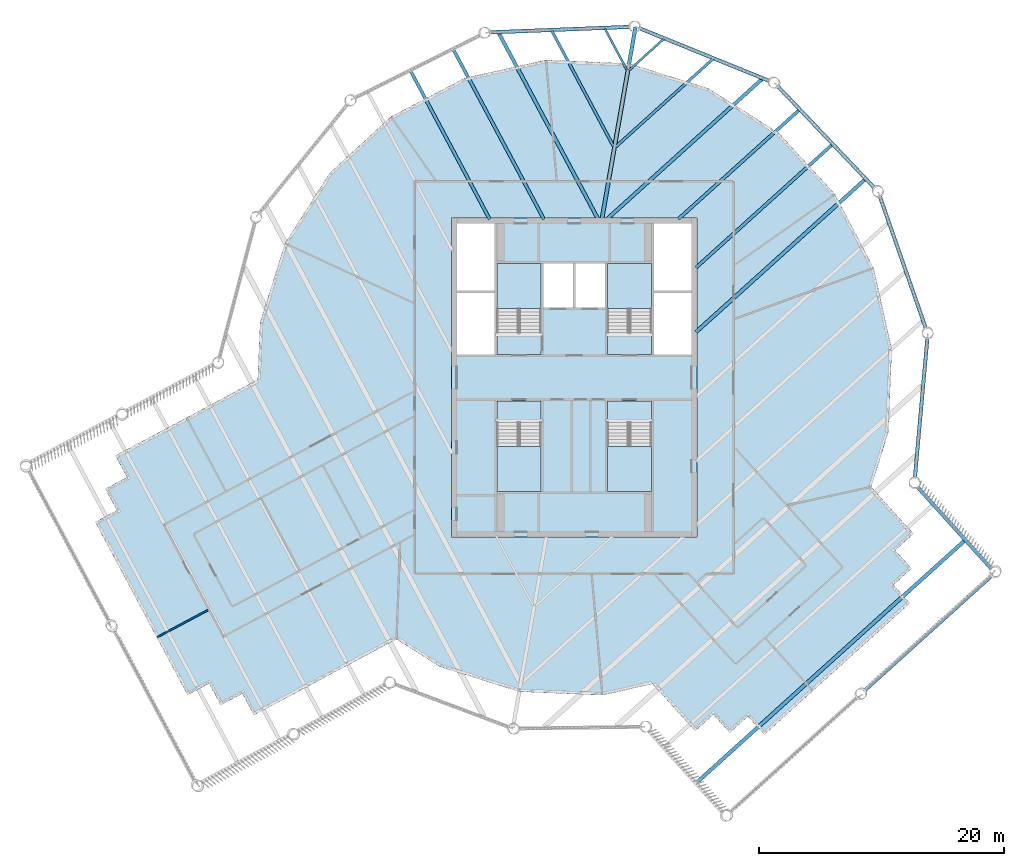
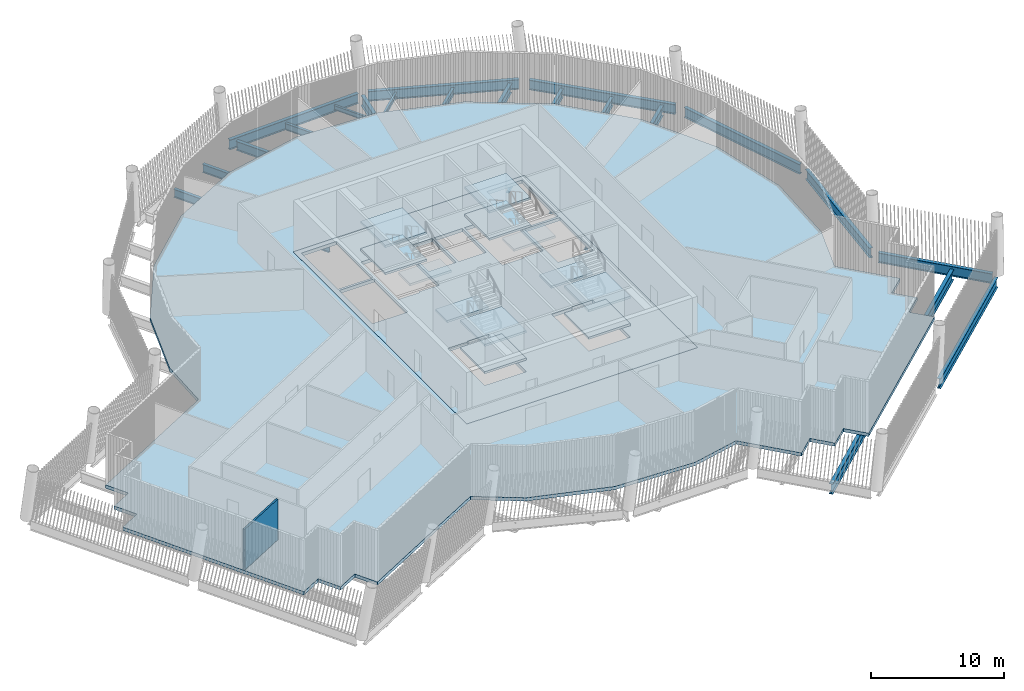
# One storey, part 2 of 21: 20 beams, 14 slabs, 1 wall, 4 elements without a shape of their own.
"""IFC4 building model written with IfcOpenShell, lengths in metres."""

from ifc_helpers import new_model, si_unit, direction, frame, frame_2d, origin, origin_2d, place, context, subcontext, project, spatial, polyline, rectangle, i_section, outline, extrude, material, layer, layer_set, material_profile, profile_set, type_object, element, aggregate, save


model = new_model("IFC4")

# Units and contexts
model_context = context("Model", 3, precision=1e-05, world=origin(), true_north=direction((0.0, 1.0)))
body_context = subcontext(model_context, "Body", "Model", "MODEL_VIEW")
ifc_project = project(units=[si_unit("LENGTHUNIT", "METRE"), si_unit("AREAUNIT", "SQUARE_METRE"), si_unit("VOLUMEUNIT", "CUBIC_METRE"), si_unit("PLANEANGLEUNIT", "RADIAN"), si_unit("MASSUNIT", "GRAM", prefix="KILO")], contexts=[model_context])

# Site, building, storey
site_placement = place(None, origin())
site = spatial("IfcSite", under=ifc_project, at=site_placement, CompositionType="ELEMENT")
building_placement = place(site_placement, origin())
building = spatial("IfcBuilding", under=site, at=building_placement, Name="Tarsis Ring Headquarters", CompositionType="ELEMENT")
storey_placement = place(building_placement, frame((0.0, 0.0, 398.60009765625)))
storey = spatial("IfcBuildingStorey", under=building, at=storey_placement, Name="L94", CompositionType="ELEMENT", Elevation=398.60009765625)

# Beams
ifc_material_1 = material(Name="Structural steel S355", Category="steel")
ifc_material_profile_1 = material_profile(ifc_material_1, i_section(OverallWidth=0.177734375, OverallDepth=0.406494140625, WebThickness=0.0078125, FlangeThickness=0.0126953125, at=origin_2d()), Name="W16x40")
ifc_profile_set_1 = profile_set([ifc_material_profile_1], Name="Structural steel S355")
beam_type_1 = type_object("IfcBeamType", Name="FB Floor beam W16x40", PredefinedType="JOIST", material=ifc_profile_set_1)
for number, where, z_axis, x_axis, name in (
    (1, (4.477783203125, 25.0615234375, -0.50341796875), (0.74221887732, 0.67015754726, 0.0), (-0.67015754726, 0.74221887732, 0.0), "Floor beam FB1"),
    (2, (2.501220703125, 28.453369140625, -0.50341796875), (0.470701368101, -0.882292594363, 0.0), (0.882292594363, 0.470701368101, 0.0), "Floor beam FB1"),
):
    element("IfcBeam", number, at=place(storey_placement, frame(where, z_axis=z_axis, x_axis=x_axis)), inside=storey, type_object=beam_type_1, Name=name, PredefinedType="JOIST", context=body_context, shape_type="SweptSolid", body=[
        extrude(i_section(OverallWidth=0.177734375, OverallDepth=0.406494140625, WebThickness=0.0078125, FlangeThickness=0.0126953125, at=origin_2d()), origin(), (0.0, 0.0, 1.0), 3.80810546875),
    ])
ifc_material_profile_2 = material_profile(ifc_material_1, i_section(OverallWidth=0.228271484375, OverallDepth=0.607177734375, WebThickness=0.01123046875, FlangeThickness=0.017333984375, at=origin_2d()), Name="W24x76")
ifc_profile_set_2 = profile_set([ifc_material_profile_2], Name="Structural steel S355")
beam_type_2 = type_object("IfcBeamType", Name="FB Floor beam W24x76", PredefinedType="JOIST", material=ifc_profile_set_2)
for number, where, z_axis, x_axis, name in (
    (3, (3.386474609375, 18.821533203125, -0.603759765625), (0.742212962935, 0.670164097554, 0.0), (-0.670164097554, 0.742212962935, 0.0), "Floor beam FB4"),
    (4, (-1.828125, 28.283203125, -0.603759765625), (0.470696127147, -0.882295390382, 0.0), (0.882295390382, 0.470696127147, 0.0), "Floor beam FB4"),
):
    element("IfcBeam", number, at=place(storey_placement, frame(where, z_axis=z_axis, x_axis=x_axis)), inside=storey, type_object=beam_type_2, Name=name, PredefinedType="JOIST", context=body_context, shape_type="SweptSolid", body=[
        extrude(i_section(OverallWidth=0.228271484375, OverallDepth=0.607177734375, WebThickness=0.01123046875, FlangeThickness=0.017333984375, at=origin_2d()), origin(), (0.0, 0.0, 1.0), 10.6875),
    ])
ifc_material_profile_3 = material_profile(ifc_material_1, i_section(OverallWidth=0.2666015625, OverallDepth=0.7568359375, WebThickness=0.013916015625, FlangeThickness=0.019287109375, at=origin_2d()), Name="W30x108")
ifc_profile_set_3 = profile_set([ifc_material_profile_3], Name="Structural steel S355")
beam_type_3 = type_object("IfcBeamType", Name="FB Floor beam W30x108", PredefinedType="JOIST", material=ifc_profile_set_3)
beam_1_placement = place(storey_placement, frame((8.50390625, 12.932861328125, -0.678466796875), z_axis=(0.74220475604, 0.670173186656, 0.0), x_axis=(-0.670173186656, 0.74220475604, 0.0)))
element("IfcBeam", 5, at=beam_1_placement, inside=storey, type_object=beam_type_3, Name="Floor beam FB6", PredefinedType="JOIST", context=body_context, shape_type="SweptSolid", body=[
    extrude(i_section(OverallWidth=0.2666015625, OverallDepth=0.7568359375, WebThickness=0.013916015625, FlangeThickness=0.019287109375, at=origin_2d()), origin(), (0.0, 0.0, 1.0), 13.272705078125),
])
beam_2_placement = place(storey_placement, frame((9.92578125, 8.96240234375, -0.678466796875), z_axis=(0.742216132992, 0.67016058667, 0.0), x_axis=(-0.67016058667, 0.742216132992, 0.0)))
element("IfcBeam", 6, at=beam_2_placement, inside=storey, type_object=beam_type_3, Name="Floor beam FB6", PredefinedType="JOIST", context=body_context, shape_type="SweptSolid", body=[
    extrude(i_section(OverallWidth=0.2666015625, OverallDepth=0.7568359375, WebThickness=0.013916015625, FlangeThickness=0.019287109375, at=origin_2d()), origin(), (0.0, 0.0, 1.0), 14.979248046875),
])
beam_3_placement = place(storey_placement, frame((-9.857177734375, 26.76171875, -0.678466796875), z_axis=(0.470703665961, -0.882291368455, 0.0), x_axis=(0.882291368455, 0.470703665961, 0.0)))
element("IfcBeam", 7, at=beam_3_placement, inside=storey, type_object=beam_type_3, Name="Floor beam FB6", PredefinedType="JOIST", context=body_context, shape_type="SweptSolid", body=[
    extrude(i_section(OverallWidth=0.2666015625, OverallDepth=0.7568359375, WebThickness=0.013916015625, FlangeThickness=0.019287109375, at=origin_2d()), origin(), (0.0, 0.0, 1.0), 15.697509765625),
])
beam_4_placement = place(storey_placement, frame((-13.345703125, 25.015380859375, -0.678466796875), z_axis=(0.470705541718, -0.882290367734, 0.0), x_axis=(0.882290367734, 0.470705541718, 0.0)))
element("IfcBeam", 8, at=beam_4_placement, inside=storey, type_object=beam_type_3, Name="Floor beam FB6", PredefinedType="JOIST", context=body_context, shape_type="SweptSolid", body=[
    extrude(i_section(OverallWidth=0.2666015625, OverallDepth=0.7568359375, WebThickness=0.013916015625, FlangeThickness=0.019287109375, at=origin_2d()), origin(), (0.0, 0.0, 1.0), 13.71826171875),
])
ifc_material_profile_4 = material_profile(ifc_material_1, i_section(OverallWidth=0.2919921875, OverallDepth=0.835693359375, WebThickness=0.013916015625, FlangeThickness=0.018798828125, at=origin_2d()), Name="W33x118")
ifc_profile_set_4 = profile_set([ifc_material_profile_4], Name="Structural steel S355")
beam_type_4 = type_object("IfcBeamType", Name="FB Floor beam W33x118", PredefinedType="JOIST", material=ifc_profile_set_4)
beam_5_placement = place(storey_placement, frame((2.684326171875, 12.932861328125, -0.718017578125), z_axis=(0.742202623527, 0.670175548367, 0.0), x_axis=(-0.670175548367, 0.742202623527, 0.0)))
element("IfcBeam", 9, at=beam_5_placement, inside=storey, type_object=beam_type_4, Name="Floor beam FB7", PredefinedType="JOIST", context=body_context, shape_type="SweptSolid", body=[
    extrude(i_section(OverallWidth=0.2919921875, OverallDepth=0.835693359375, WebThickness=0.013916015625, FlangeThickness=0.018798828125, at=origin_2d()), origin(), (0.0, 0.0, 1.0), 17.042724609375),
])
beam_6_placement = place(storey_placement, frame((-6.15771484375, 28.113037109375, -0.718017578125), z_axis=(0.470704436347, -0.882290957453, 0.0), x_axis=(0.882290957453, 0.470704436347, 0.0)))
element("IfcBeam", 10, at=beam_6_placement, inside=storey, type_object=beam_type_4, Name="Floor beam FB7", PredefinedType="JOIST", context=body_context, shape_type="SweptSolid", body=[
    extrude(i_section(OverallWidth=0.2919921875, OverallDepth=0.835693359375, WebThickness=0.013916015625, FlangeThickness=0.018798828125, at=origin_2d()), origin(), (0.0, 0.0, 1.0), 17.229248046875),
])
ifc_material_profile_5 = material_profile(ifc_material_1, i_section(OverallWidth=0.3046875, OverallDepth=0.904296875, WebThickness=0.01513671875, FlangeThickness=0.02001953125, at=origin_2d()), Name="W36x135")
ifc_profile_set_5 = profile_set([ifc_material_profile_5], Name="Structural steel S355")
beam_type_5 = type_object("IfcBeamType", Name="FB Floor beam W36x135", PredefinedType="JOIST", material=ifc_profile_set_5)
beam_7_placement = place(storey_placement, frame((9.92578125, 3.707763671875, -0.752197265625), z_axis=(0.742208560949, 0.670168972763, 0.0), x_axis=(-0.670168972763, 0.742208560949, 0.0)))
element("IfcBeam", 11, at=beam_7_placement, inside=storey, type_object=beam_type_5, Name="Floor beam FB8", PredefinedType="JOIST", context=body_context, shape_type="SweptSolid", body=[
    extrude(i_section(OverallWidth=0.3046875, OverallDepth=0.904296875, WebThickness=0.01513671875, FlangeThickness=0.02001953125, at=origin_2d()), origin(), (0.0, 0.0, 1.0), 18.60205078125),
])
ifc_material_profile_6 = material_profile(ifc_material_1, i_section(OverallWidth=0.309814453125, OverallDepth=0.949951171875, WebThickness=0.0244140625, FlangeThickness=0.0439453125, at=origin_2d()), Name="W36x256")
ifc_profile_set_6 = profile_set([ifc_material_profile_6], Name="Structural steel S355")
beam_type_6 = type_object("IfcBeamType", Name="FB Floor beam W36x256", PredefinedType="JOIST", material=ifc_profile_set_6)
beam_8_placement = place(storey_placement, frame((9.96337890625, -33.040283203125, -0.775146484375), z_axis=(0.742211542683, 0.670165670493, 0.0), x_axis=(-0.670165670493, 0.742211542683, 0.0)))
element("IfcBeam", 12, at=beam_8_placement, inside=storey, type_object=beam_type_6, Name="Floor beam FB11", PredefinedType="JOIST", context=body_context, shape_type="SweptSolid", body=[
    extrude(i_section(OverallWidth=0.309814453125, OverallDepth=0.949951171875, WebThickness=0.0244140625, FlangeThickness=0.0439453125, at=origin_2d()), origin(), (0.0, 0.0, 1.0), 29.4951171875),
])
beam_type_7 = type_object("IfcBeamType", Name="FB Floor beam W36x256 spine", PredefinedType="BEAM", material=ifc_profile_set_6)
beam_9_placement = place(storey_placement, frame((4.99462890625, 28.55908203125, -0.775146484375), z_axis=(-0.17227191086, -0.985049434662, 0.0), x_axis=(0.985049434662, -0.17227191086, 0.0)))
element("IfcBeam", 13, at=beam_9_placement, inside=storey, type_object=beam_type_7, Name="Floor beam SB11", PredefinedType="BEAM", context=body_context, shape_type="SweptSolid", body=[
    extrude(i_section(OverallWidth=0.309814453125, OverallDepth=0.949951171875, WebThickness=0.0244140625, FlangeThickness=0.0439453125, at=origin_2d()), origin(), (0.0, 0.0, 1.0), 15.89501953125),
])
beam_type_8 = type_object("IfcBeamType", Name="XG Ring girder W36x135", PredefinedType="BEAM", material=ifc_profile_set_5)
beam_10_placement = place(storey_placement, frame((23.627197265625, -25.55322265625, -0.4521484375), z_axis=(0.742214462271, 0.670162437022, 0.0), x_axis=(-0.670162437022, 0.742214462271, 0.0)))
element("IfcBeam", 14, at=beam_10_placement, inside=storey, type_object=beam_type_8, Name="Ring girder XG5", PredefinedType="BEAM", context=body_context, shape_type="SweptSolid", body=[
    extrude(i_section(OverallWidth=0.3046875, OverallDepth=0.904296875, WebThickness=0.01513671875, FlangeThickness=0.02001953125, at=origin_2d()), origin(), (0.0, 0.0, 1.0), 13.97705078125),
])
beam_11_placement = place(storey_placement, frame((34.03076171875, -15.60498046875, -0.4521484375), z_axis=(-0.670171317745, 0.742206443567, 0.0), x_axis=(-0.742206443567, -0.670171317745, 0.0)))
element("IfcBeam", 15, at=beam_11_placement, inside=storey, type_object=beam_type_8, Name="Ring girder XG5", PredefinedType="BEAM", context=body_context, shape_type="SweptSolid", body=[
    extrude(i_section(OverallWidth=0.3046875, OverallDepth=0.904296875, WebThickness=0.01513671875, FlangeThickness=0.02001953125, at=origin_2d()), origin(), (0.0, 0.0, 1.0), 8.9814453125),
])
for number, where, z_axis, x_axis, name in (
    (16, (27.772705078125, -8.2236328125, -0.4521484375), (0.089208268998, 0.996012994264, 0.0), (-0.996012994264, 0.089208268998, 0.0), "Ring girder XG5"),
    (17, (28.693359375, 3.955078125, -0.4521484375), (-0.329268048614, 0.944236491649, 0.0), (-0.944236491649, -0.329268048614, 0.0), "Ring girder XG5"),
):
    element("IfcBeam", number, at=place(storey_placement, frame(where, z_axis=z_axis, x_axis=x_axis)), inside=storey, type_object=beam_type_8, Name=name, PredefinedType="BEAM", context=body_context, shape_type="SweptSolid", body=[
        extrude(i_section(OverallWidth=0.3046875, OverallDepth=0.904296875, WebThickness=0.01513671875, FlangeThickness=0.02001953125, at=origin_2d()), origin(), (0.0, 0.0, 1.0), 11.426025390625),
    ])
beam_12_placement = place(storey_placement, frame((24.51220703125, 15.4306640625, -0.4521484375), z_axis=(-0.689204189997, 0.724567170448, 0.0), x_axis=(-0.724567170448, -0.689204189997, 0.0)))
element("IfcBeam", 18, at=beam_12_placement, inside=storey, type_object=beam_type_8, Name="Ring girder XG5", PredefinedType="BEAM", context=body_context, shape_type="SweptSolid", body=[
    extrude(i_section(OverallWidth=0.3046875, OverallDepth=0.904296875, WebThickness=0.01513671875, FlangeThickness=0.02001953125, at=origin_2d()), origin(), (0.0, 0.0, 1.0), 11.42578125),
])
beam_13_placement = place(storey_placement, frame((15.97265625, 24.162353515625, -0.4521484375), z_axis=(-0.926585975103, 0.376083010441, 0.0), x_axis=(-0.376083010441, -0.926585975103, 0.0)))
element("IfcBeam", 19, at=beam_13_placement, inside=storey, type_object=beam_type_8, Name="Ring girder XG5", PredefinedType="BEAM", context=body_context, shape_type="SweptSolid", body=[
    extrude(i_section(OverallWidth=0.3046875, OverallDepth=0.904296875, WebThickness=0.01513671875, FlangeThickness=0.02001953125, at=origin_2d()), origin(), (0.0, 0.0, 1.0), 11.426025390625),
])
beam_14_placement = place(storey_placement, frame((4.593017578125, 28.59814453125, -0.4521484375), z_axis=(-0.999227663073, -0.039294749645, 0.0), x_axis=(0.039294749645, -0.999227663073, 0.0)))
element("IfcBeam", 20, at=beam_14_placement, inside=storey, type_object=beam_type_8, Name="Ring girder XG5", PredefinedType="BEAM", context=body_context, shape_type="SweptSolid", body=[
    extrude(i_section(OverallWidth=0.3046875, OverallDepth=0.904296875, WebThickness=0.01513671875, FlangeThickness=0.02001953125, at=origin_2d()), origin(), (0.0, 0.0, 1.0), 11.42578125),
])

# Slab
ifc_material_2 = material(Name="Concrete C40/50", Category="concrete")
ifc_layer_1 = layer(ifc_material_2, 0.300048828125)
ifc_layer_set_1 = layer_set([ifc_layer_1], Name="Core floor slab 300 C40/50")
slab_type_1 = type_object("IfcSlabType", Name="Core floor slab 300 C40/50", PredefinedType="FLOOR", material=ifc_layer_set_1)
slab_1_placement = place(storey_placement, frame((0.0, 0.0, -0.300048828125)))
element("IfcSlab", 21, at=slab_1_placement, inside=storey, type_object=slab_type_1, Name="L94 core floor slab", PredefinedType="FLOOR", context=body_context, shape_type="SweptSolid", body=[
    extrude(outline(polyline([(-10.0, -13.0), (10.0, -13.0), (10.0, 13.0), (-10.0, 13.0), (-10.0, -13.0)]), holes=[polyline([(-2.5, 5.699951171875), (-0.10009765625, 5.699951171875), (-0.10009765625, 9.300048828125), (-2.5, 9.300048828125), (-2.5, 5.699951171875)]), polyline([(0.10009765625, 5.699951171875), (2.5, 5.699951171875), (2.5, 9.300048828125), (0.10009765625, 9.300048828125), (0.10009765625, 5.699951171875)]), polyline([(-9.550048828125, 1.89990234375), (-6.5, 1.89990234375), (-6.5, 6.89990234375), (-9.550048828125, 6.89990234375), (-9.550048828125, 1.89990234375)]), polyline([(-9.550048828125, 7.10009765625), (-6.5, 7.10009765625), (-6.5, 12.550048828125), (-9.550048828125, 12.550048828125), (-9.550048828125, 7.10009765625)]), polyline([(6.5, 1.89990234375), (9.550048828125, 1.89990234375), (9.550048828125, 6.89990234375), (6.5, 6.89990234375), (6.5, 1.89990234375)]), polyline([(6.5, 7.10009765625), (9.550048828125, 7.10009765625), (9.550048828125, 12.550048828125), (6.5, 12.550048828125), (6.5, 7.10009765625)]), polyline([(-2.699951171875, 3.760009765625), (-2.699951171875, 9.300048828125), (-6.300048828125, 9.300048828125), (-6.300048828125, 3.659912109375), (-4.4599609375, 3.659912109375), (-4.4599609375, 3.760009765625), (-2.699951171875, 3.760009765625)]), polyline([(6.300048828125, 3.760009765625), (6.300048828125, 9.300048828125), (2.699951171875, 9.300048828125), (2.699951171875, 3.659912109375), (4.5400390625, 3.659912109375), (4.5400390625, 3.760009765625), (6.300048828125, 3.760009765625)]), polyline([(-6.300048828125, -3.760009765625), (-6.300048828125, -9.300048828125), (-2.699951171875, -9.300048828125), (-2.699951171875, -3.659912109375), (-4.5400390625, -3.659912109375), (-4.5400390625, -3.760009765625), (-6.300048828125, -3.760009765625)]), polyline([(2.699951171875, -3.760009765625), (2.699951171875, -9.300048828125), (6.300048828125, -9.300048828125), (6.300048828125, -3.659912109375), (4.4599609375, -3.659912109375), (4.4599609375, -3.760009765625), (2.699951171875, -3.760009765625)])]), origin(), (0.0, 0.0, 1.0), 0.300048828125),
])

# Stair, slabs
ifc_material_3 = material(Name="Core stair 1760")
stair_type = type_object("IfcStairType", Name="Core stair 1760", PredefinedType="HALF_TURN_STAIR", material=ifc_material_3)
stair_1_placement = place(storey_placement, origin())
stair_1 = element("IfcStair", 22, at=stair_1_placement, inside=storey, type_object=stair_type, Name="L94 Firefighting stair", PredefinedType="HALF_TURN_STAIR")
ifc_layer_2 = layer(ifc_material_2, 0.199951171875)
ifc_layer_set_2 = layer_set([ifc_layer_2], Name="Core stair landing 200")
slab_type_2 = type_object("IfcSlabType", Name="Core stair landing 200", PredefinedType="LANDING", material=ifc_layer_set_2)
slab_2_placement = place(storey_placement, frame((0.0, 0.0, 1.0498046875)))
slab_2 = element("IfcSlab", 23, at=slab_2_placement, type_object=slab_type_2, Name="Stair ST1 landing 1", PredefinedType="LANDING", context=body_context, shape_type="SweptSolid", body=[
    extrude(outline(polyline([(-2.699951171875, 5.6201171875), (-2.699951171875, 9.300048828125), (-6.300048828125, 9.300048828125), (-6.300048828125, 5.6201171875), (-2.699951171875, 5.6201171875)])), origin(), (0.0, 0.0, 1.0), 0.2001953125),
])
slab_3_placement = place(storey_placement, frame((0.0, 0.0, 2.2998046875)))
slab_3 = element("IfcSlab", 24, at=slab_3_placement, type_object=slab_type_2, Name="Stair ST1 landing 2", PredefinedType="LANDING", context=body_context, shape_type="SweptSolid", body=[
    extrude(outline(polyline([(-2.699951171875, 1.89990234375), (-2.699951171875, 3.659912109375), (-6.300048828125, 3.659912109375), (-6.300048828125, 1.89990234375), (-2.699951171875, 1.89990234375)])), origin(), (0.0, 0.0, 1.0), 0.2001953125),
])
slab_4_placement = place(storey_placement, frame((0.0, 0.0, 3.5498046875)))
slab_4 = element("IfcSlab", 25, at=slab_4_placement, type_object=slab_type_2, Name="Stair ST1 landing 3", PredefinedType="LANDING", context=body_context, shape_type="SweptSolid", body=[
    extrude(outline(polyline([(-2.699951171875, 5.6201171875), (-2.699951171875, 9.300048828125), (-6.300048828125, 9.300048828125), (-6.300048828125, 5.6201171875), (-2.699951171875, 5.6201171875)])), origin(), (0.0, 0.0, 1.0), 0.2001953125),
])
aggregate(stair_1, [slab_2, slab_3, slab_4])

stair_2_placement = place(storey_placement, origin())
stair_2 = element("IfcStair", 26, at=stair_2_placement, inside=storey, type_object=stair_type, Name="L94 Exit stair B", PredefinedType="HALF_TURN_STAIR")
slab_5_placement = place(storey_placement, frame((0.0, 0.0, 1.0498046875)))
slab_5 = element("IfcSlab", 27, at=slab_5_placement, type_object=slab_type_2, Name="Stair ST2 landing 1", PredefinedType="LANDING", context=body_context, shape_type="SweptSolid", body=[
    extrude(outline(polyline([(6.300048828125, 5.6201171875), (6.300048828125, 9.300048828125), (2.699951171875, 9.300048828125), (2.699951171875, 5.6201171875), (6.300048828125, 5.6201171875)])), origin(), (0.0, 0.0, 1.0), 0.2001953125),
])
slab_6_placement = place(storey_placement, frame((0.0, 0.0, 2.2998046875)))
slab_6 = element("IfcSlab", 28, at=slab_6_placement, type_object=slab_type_2, Name="Stair ST2 landing 2", PredefinedType="LANDING", context=body_context, shape_type="SweptSolid", body=[
    extrude(outline(polyline([(6.300048828125, 1.89990234375), (6.300048828125, 3.659912109375), (2.699951171875, 3.659912109375), (2.699951171875, 1.89990234375), (6.300048828125, 1.89990234375)])), origin(), (0.0, 0.0, 1.0), 0.2001953125),
])
slab_7_placement = place(storey_placement, frame((0.0, 0.0, 3.5498046875)))
slab_7 = element("IfcSlab", 29, at=slab_7_placement, type_object=slab_type_2, Name="Stair ST2 landing 3", PredefinedType="LANDING", context=body_context, shape_type="SweptSolid", body=[
    extrude(outline(polyline([(6.300048828125, 5.6201171875), (6.300048828125, 9.300048828125), (2.699951171875, 9.300048828125), (2.699951171875, 5.6201171875), (6.300048828125, 5.6201171875)])), origin(), (0.0, 0.0, 1.0), 0.2001953125),
])
aggregate(stair_2, [slab_5, slab_6, slab_7])

stair_3_placement = place(storey_placement, origin())
stair_3 = element("IfcStair", 30, at=stair_3_placement, inside=storey, type_object=stair_type, Name="L94 Exit stair C", PredefinedType="HALF_TURN_STAIR")
slab_8_placement = place(storey_placement, frame((0.0, 0.0, 1.0498046875)))
slab_8 = element("IfcSlab", 31, at=slab_8_placement, type_object=slab_type_2, Name="Stair ST3 landing 1", PredefinedType="LANDING", context=body_context, shape_type="SweptSolid", body=[
    extrude(outline(polyline([(-6.300048828125, -5.6201171875), (-6.300048828125, -9.300048828125), (-2.699951171875, -9.300048828125), (-2.699951171875, -5.6201171875), (-6.300048828125, -5.6201171875)])), origin(), (0.0, 0.0, 1.0), 0.2001953125),
])
slab_9_placement = place(storey_placement, frame((0.0, 0.0, 2.2998046875)))
slab_9 = element("IfcSlab", 32, at=slab_9_placement, type_object=slab_type_2, Name="Stair ST3 landing 2", PredefinedType="LANDING", context=body_context, shape_type="SweptSolid", body=[
    extrude(outline(polyline([(-6.300048828125, -1.89990234375), (-6.300048828125, -3.659912109375), (-2.699951171875, -3.659912109375), (-2.699951171875, -1.89990234375), (-6.300048828125, -1.89990234375)])), origin(), (0.0, 0.0, 1.0), 0.2001953125),
])
slab_10_placement = place(storey_placement, frame((0.0, 0.0, 3.5498046875)))
slab_10 = element("IfcSlab", 33, at=slab_10_placement, type_object=slab_type_2, Name="Stair ST3 landing 3", PredefinedType="LANDING", context=body_context, shape_type="SweptSolid", body=[
    extrude(outline(polyline([(-6.300048828125, -5.6201171875), (-6.300048828125, -9.300048828125), (-2.699951171875, -9.300048828125), (-2.699951171875, -5.6201171875), (-6.300048828125, -5.6201171875)])), origin(), (0.0, 0.0, 1.0), 0.2001953125),
])
aggregate(stair_3, [slab_8, slab_9, slab_10])

stair_4_placement = place(storey_placement, origin())
stair_4 = element("IfcStair", 34, at=stair_4_placement, inside=storey, type_object=stair_type, Name="L94 Exit stair D", PredefinedType="HALF_TURN_STAIR")
slab_11_placement = place(storey_placement, frame((0.0, 0.0, 1.0498046875)))
slab_11 = element("IfcSlab", 35, at=slab_11_placement, type_object=slab_type_2, Name="Stair ST4 landing 1", PredefinedType="LANDING", context=body_context, shape_type="SweptSolid", body=[
    extrude(outline(polyline([(2.699951171875, -5.6201171875), (2.699951171875, -9.300048828125), (6.300048828125, -9.300048828125), (6.300048828125, -5.6201171875), (2.699951171875, -5.6201171875)])), origin(), (0.0, 0.0, 1.0), 0.2001953125),
])
slab_12_placement = place(storey_placement, frame((0.0, 0.0, 2.2998046875)))
slab_12 = element("IfcSlab", 36, at=slab_12_placement, type_object=slab_type_2, Name="Stair ST4 landing 2", PredefinedType="LANDING", context=body_context, shape_type="SweptSolid", body=[
    extrude(outline(polyline([(2.699951171875, -1.89990234375), (2.699951171875, -3.659912109375), (6.300048828125, -3.659912109375), (6.300048828125, -1.89990234375), (2.699951171875, -1.89990234375)])), origin(), (0.0, 0.0, 1.0), 0.2001953125),
])
slab_13_placement = place(storey_placement, frame((0.0, 0.0, 3.5498046875)))
slab_13 = element("IfcSlab", 37, at=slab_13_placement, type_object=slab_type_2, Name="Stair ST4 landing 3", PredefinedType="LANDING", context=body_context, shape_type="SweptSolid", body=[
    extrude(outline(polyline([(2.699951171875, -5.6201171875), (2.699951171875, -9.300048828125), (6.300048828125, -9.300048828125), (6.300048828125, -5.6201171875), (2.699951171875, -5.6201171875)])), origin(), (0.0, 0.0, 1.0), 0.2001953125),
])
aggregate(stair_4, [slab_11, slab_12, slab_13])

# Slab
ifc_material_4 = material(Name="Concrete C35/45", Category="concrete")
ifc_layer_3 = layer(ifc_material_4, 0.300048828125)
ifc_layer_set_3 = layer_set([ifc_layer_3], Name="FS Composite floor slab 300")
slab_type_3 = type_object("IfcSlabType", Name="FS Composite floor slab 300", PredefinedType="FLOOR", material=ifc_layer_set_3)
slab_14_placement = place(storey_placement, frame((0.0, 0.0, -0.300048828125)))
element("IfcSlab", 38, at=slab_14_placement, inside=storey, type_object=slab_type_3, Name="Floor slab L94", PredefinedType="FLOOR", context=body_context, shape_type="SweptSolid", body=[
    extrude(outline(polyline([(-14.492431640625, -21.332763671875), (-10.955078125, -23.579345703125), (-4.47900390625, -25.611328125), (2.30224609375, -25.89794921875), (6.39208984375, -24.985107421875), (9.858154296875, -28.823974609375), (11.342529296875, -27.483642578125), (12.682861328125, -28.968017578125), (14.167236328125, -27.627685546875), (15.507568359375, -29.112060546875), (27.383056640625, -18.389404296875), (26.042724609375, -16.905029296875), (27.527099609375, -15.564697265625), (26.186767578125, -14.080078125), (27.671142578125, -12.73974609375), (24.218994140625, -8.91650390625), (25.611328125, -4.47900390625), (25.89794921875, 2.30224609375), (24.419677734375, 8.926513671875), (21.277099609375, 14.942626953125), (16.6845703125, 19.9404296875), (10.955078125, 23.579345703125), (4.47900390625, 25.611328125), (-2.30224609375, 25.89794921875), (-8.926513671875, 24.419677734375), (-14.942626953125, 21.277099609375), (-19.9404296875, 16.6845703125), (-23.579345703125, 10.955078125), (-25.611328125, 4.47900390625), (-25.8076171875, -0.16748046875), (-37.410888671875, -6.35791015625), (-36.469482421875, -8.122314453125), (-38.234130859375, -9.063720703125), (-37.292724609375, -10.828369140625), (-39.057373046875, -11.769775390625), (-31.526123046875, -25.886474609375), (-29.761474609375, -24.945068359375), (-28.820068359375, -26.709716796875), (-27.055419921875, -25.768310546875), (-26.114013671875, -27.53271484375), (-14.492431640625, -21.332763671875)]), holes=[polyline([(-10.0, -13.0), (-10.0, 13.0), (10.0, 13.0), (10.0, -13.0), (-10.0, -13.0)])]), origin(), (0.0, 0.0, 1.0), 0.300048828125),
])

# Wall
ifc_material_5 = material(Name="Gypsum board on steel studs", Category="steel")
ifc_layer_4 = layer(ifc_material_5, 0.14990234375)
ifc_layer_set_4 = layer_set([ifc_layer_4], Name="FL partition 150 EI 120 H3730")
wall_type = type_object("IfcWallType", Name="FL partition 150 EI 120 H3730", PredefinedType="PARTITIONING", material=ifc_layer_set_4)
wall_placement = place(storey_placement, frame((-33.99072265625, -21.160400390625, 0.0), z_axis=(0.0, 0.0, 1.0), x_axis=(0.882293727808, 0.470699243541, 0.0)))
element("IfcWall", 39, at=wall_placement, inside=storey, type_object=wall_type, Name="Partition PW2H373", PredefinedType="PARTITIONING", context=body_context, shape_type="SweptSolid", body=[
    extrude(rectangle(XDim=4.679931640625, YDim=0.14990234375, at=frame_2d((2.33984375, 0.0))), origin(), (0.0, 0.0, 1.0), 3.72998046875),
])

save(model, "model.ifc")
